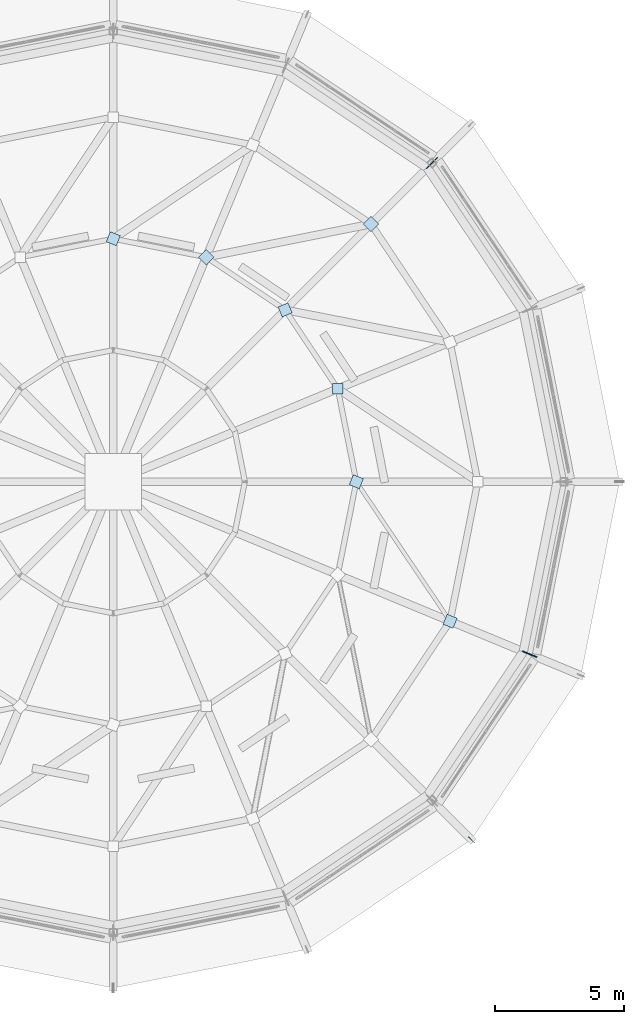
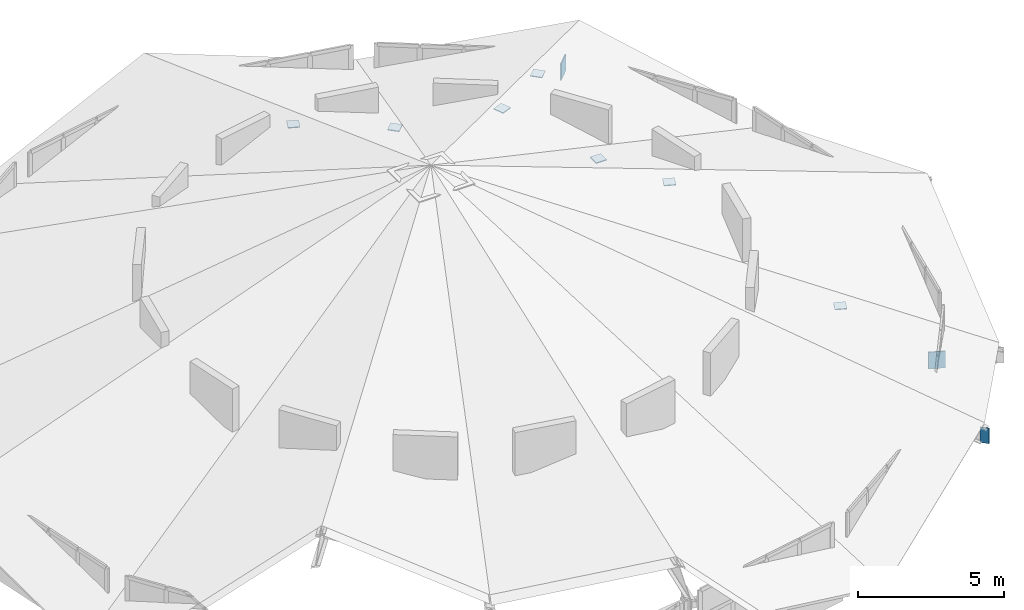
# One storey, part 15 of 18: 10 plates.
"""IFC4 building model written with IfcOpenShell, lengths in metres."""

import ifcopenshell
import ifcopenshell.guid

model = None  # the IFC model being written
_history = None  # IfcOwnerHistory: only IFC2X3 demands one
_inside = {}  # id of a spatial element -> (the spatial element, [elements in it])
_under = {}  # id of a project, library or spatial element -> (it, [spatial elements below it])
_declared = {}  # id of a project -> (the project, [libraries it declares])
_typed = {}  # id of a type object -> (the type object, [elements of that type])
_made_of = {}  # id of a material, layer set ... -> (it, [elements and type objects made of it])


def new_model(schema):
    """Start an empty IFC model of exactly this schema.

    Asked for "IFC4X3", IfcOpenShell would pick the latest addendum, in which some entities
    have other attributes; the version numbers below select the first issue.
    IFC2X3 requires an IfcOwnerHistory on every rooted entity: one is made here for all.
    """
    global model, _history
    if schema == "IFC4X3":
        model = ifcopenshell.file(schema_version=(4, 3, 0, 0))
    else:
        model = ifcopenshell.file(schema=schema)
    _inside.clear()
    _under.clear()
    _declared.clear()
    _typed.clear()
    _made_of.clear()
    _history = None
    if model.schema == "IFC2X3":
        org = make("IfcOrganization", Name="unknown")
        user = make(
            "IfcPersonAndOrganization",
            ThePerson=make("IfcPerson", FamilyName="unknown"),
            TheOrganization=org,
        )
        app = make(
            "IfcApplication",
            ApplicationDeveloper=org,
            Version="unknown",
            ApplicationFullName="unknown",
            ApplicationIdentifier="unknown",
        )
        _history = make(
            "IfcOwnerHistory",
            OwningUser=user,
            OwningApplication=app,
            ChangeAction="ADDED",
            CreationDate=0,
        )
    return model


def make(cls, **values):
    """One entity of the class cls with the attributes given. An attribute that is None is left unset."""
    return model.create_entity(
        cls, **{name: value for name, value in values.items() if value is not None}
    )


def rooted(cls, **values):
    """An entity with a GlobalId (a new one), such as an element, a storey or a relation."""
    return make(cls, GlobalId=ifcopenshell.guid.new(), OwnerHistory=_history, **values)


def si_unit(unit_type, name, prefix=None):
    """IfcSIUnit, for example si_unit("LENGTHUNIT", "METRE", prefix="MILLI")."""
    return make("IfcSIUnit", UnitType=unit_type, Prefix=prefix, Name=name)


def assignment(units):
    """IfcUnitAssignment: the units of a project."""
    return None if units is None else make("IfcUnitAssignment", Units=units)


def point(xyz):
    """IfcCartesianPoint."""
    return None if xyz is None else make("IfcCartesianPoint", Coordinates=xyz)


def direction(xyz):
    """IfcDirection."""
    return None if xyz is None else make("IfcDirection", DirectionRatios=xyz)


def frame(location, z_axis=None, x_axis=None):
    """IfcAxis2Placement3D, a coordinate frame: its origin and axes. An axis left out is left unset."""
    return make(
        "IfcAxis2Placement3D",
        Location=point(location),
        Axis=direction(z_axis),
        RefDirection=direction(x_axis),
    )


def frame_2d(location, x_axis=None):
    """IfcAxis2Placement2D, a coordinate frame in the plane: its origin and x axis."""
    return make(
        "IfcAxis2Placement2D", Location=point(location), RefDirection=direction(x_axis)
    )


def origin():
    """The frame at (0, 0, 0) with its axes left unset."""
    return frame((0.0, 0.0, 0.0))


def origin_2d():
    """The frame at (0, 0) in the plane with its x axis left unset."""
    return frame_2d((0.0, 0.0))


def place(relative_to, where):
    """IfcLocalPlacement: puts the frame where relative to a parent placement (None: the world)."""
    return make(
        "IfcLocalPlacement", PlacementRelTo=relative_to, RelativePlacement=where
    )


def context(
    kind, dimensions, precision=None, world=None, true_north=None, identifier=None
):
    """IfcGeometricRepresentationContext, for example the 3D "Model" context."""
    return make(
        "IfcGeometricRepresentationContext",
        ContextIdentifier=identifier,
        ContextType=kind,
        CoordinateSpaceDimension=dimensions,
        Precision=precision,
        WorldCoordinateSystem=world,
        TrueNorth=true_north,
    )


def subcontext(parent, identifier, kind, view, scale=None):
    """IfcGeometricRepresentationSubContext, for example "Body" below "Model"."""
    return make(
        "IfcGeometricRepresentationSubContext",
        ContextIdentifier=identifier,
        ContextType=kind,
        ParentContext=parent,
        TargetScale=scale,
        TargetView=view,
    )


def project(units=None, contexts=None):
    """IfcProject with its units and contexts."""
    return rooted(
        "IfcProject",
        Name="project",
        RepresentationContexts=contexts,
        UnitsInContext=assignment(units),
    )


def spatial(cls, under=None, at=None, **own):
    """A site, building, storey or space (cls), placed at a placement, below another one or the project."""
    s = rooted(cls, ObjectPlacement=at, **own)
    if under is not None:
        _under.setdefault(under.id(), (under, []))[1].append(s)
    return s


def profile(cls, at=None, kind="AREA", **sizes):
    """A parametric profile (cls). Its sizes go by their IFC names, for example OverallWidth=200.0."""
    return make(cls, ProfileType=kind, Position=at, **sizes)


def rectangle(**sizes):
    """IfcRectangleProfileDef."""
    return profile("IfcRectangleProfileDef", **sizes)


def extrude(swept, where, along, depth):
    """IfcExtrudedAreaSolid: the profile swept, set in the frame where, extruded along a direction by depth."""
    return make(
        "IfcExtrudedAreaSolid",
        SweptArea=swept,
        Position=where,
        ExtrudedDirection=direction(along),
        Depth=depth,
    )


def shape(context_of_items, identifier, shape_type, items):
    """IfcShapeRepresentation: the items that make up one representation, for example the "Body"."""
    return make(
        "IfcShapeRepresentation",
        ContextOfItems=context_of_items,
        RepresentationIdentifier=identifier,
        RepresentationType=shape_type,
        Items=items,
    )


def material(Name=None, Category=None):
    """IfcMaterial."""
    return make("IfcMaterial", Name=Name, Category=Category)


def layer(
    of_material, thickness, ventilated=None, Name=None, Category=None, Priority=None
):
    """IfcMaterialLayer: one layer of a wall or slab, of a material (None: an air gap)."""
    return make(
        "IfcMaterialLayer",
        Material=of_material,
        LayerThickness=thickness,
        IsVentilated=ventilated,
        Name=Name,
        Category=Category,
        Priority=Priority,
    )


def layer_set(layers, Name=None):
    """IfcMaterialLayerSet."""
    return make("IfcMaterialLayerSet", MaterialLayers=layers, LayerSetName=Name)


def made_of(thing, what):
    """Note that an element or type object is made of a material, layer set ...; save() writes the relation."""
    if what is not None:
        _made_of.setdefault(what.id(), (what, []))[1].append(thing)
    return thing


def type_object(cls, material=None, **own):
    """A type object (cls), such as IfcWallType, which elements share."""
    return made_of(rooted(cls, **own), material)


def element(
    cls,
    number,
    at=None,
    inside=None,
    cuts=None,
    type_object=None,
    material=None,
    context=None,
    identifier="Body",
    shape_type=None,
    held_by="IfcProductDefinitionShape",
    body=None,
    shapes=None,
    **own,
):
    """One element of the class cls, such as IfcWall. Its Tag is "e" and its number.

    at: its placement. inside: the storey or other place that contains it. cuts: it is an
    opening in that element (IfcRelVoidsElement). A single representation is given by context,
    identifier, shape_type and body (its items); several are given by shapes. held_by: the class
    of the entity that holds the representations. save() writes the other relations.
    """
    e = rooted(cls, Tag="e%d" % number, ObjectPlacement=at, **own)
    if body is not None:
        shapes = [shape(context, identifier, shape_type, body)]
    if shapes is not None:
        e.Representation = make(held_by, Representations=shapes)
    if inside is not None:
        _inside.setdefault(inside.id(), (inside, []))[1].append(e)
    if cuts is not None:
        rooted(
            "IfcRelVoidsElement", RelatingBuildingElement=cuts, RelatedOpeningElement=e
        )
    if type_object is not None:
        _typed.setdefault(type_object.id(), (type_object, []))[1].append(e)
    return made_of(e, material)


def aggregate(whole, parts):
    """IfcRelAggregates: a whole, such as a stair, and the parts it consists of."""
    return rooted("IfcRelAggregates", RelatingObject=whole, RelatedObjects=parts)


def save(model, path):
    """Write the relations noted so far, then the file.

    IfcRelAggregates (storeys below a building ...), IfcRelContainedInSpatialStructure (elements
    in a storey), IfcRelDefinesByType, IfcRelAssociatesMaterial and IfcRelDeclares: one each for
    every whole, place, type object, material and project.
    """
    for whole, parts in _under.values():
        aggregate(whole, parts)
    for where, things in _inside.values():
        rooted(
            "IfcRelContainedInSpatialStructure",
            RelatedElements=things,
            RelatingStructure=where,
        )
    for kind, things in _typed.values():
        rooted("IfcRelDefinesByType", RelatedObjects=things, RelatingType=kind)
    for what, things in _made_of.values():
        rooted("IfcRelAssociatesMaterial", RelatedObjects=things, RelatingMaterial=what)
    for by, libraries in _declared.values():
        rooted("IfcRelDeclares", RelatingContext=by, RelatedDefinitions=libraries)
    model.write(path)


model = new_model("IFC4")

# Units and contexts
model_context = context("Model", 3, precision=1e-05, world=origin(), true_north=direction((0.0, 1.0)))
body_context = subcontext(model_context, "Body", "Model", "MODEL_VIEW")
ifc_project = project(units=[si_unit("LENGTHUNIT", "METRE"), si_unit("AREAUNIT", "SQUARE_METRE"), si_unit("VOLUMEUNIT", "CUBIC_METRE"), si_unit("PLANEANGLEUNIT", "RADIAN"), si_unit("MASSUNIT", "GRAM", prefix="KILO")], contexts=[model_context])

# Site, building, storey
site_placement = place(None, origin())
site = spatial("IfcSite", under=ifc_project, at=site_placement, CompositionType="ELEMENT")
building_placement = place(site_placement, origin())
building = spatial("IfcBuilding", under=site, at=building_placement, Name="Soyqirgoq Riverine Aquarium", CompositionType="ELEMENT")
storey_placement = place(building_placement, frame((0.0, 0.0, 29.39990234375)))
storey = spatial("IfcBuildingStorey", under=building, at=storey_placement, Name="RF", CompositionType="ELEMENT", Elevation=29.39990234375)

# Plates
ifc_material_1 = material(Name="Structural steel S355", Category="steel")
ifc_layer_1 = layer(ifc_material_1, 0.031982421875)
ifc_layer_set_1 = layer_set([ifc_layer_1], Name="Structural steel S355")
plate_type_1 = type_object("IfcPlateType", Name="NodeGussetPlate_32_S355", PredefinedType="SHEET", material=ifc_layer_set_1)
for number, where, z_axis, x_axis, name in (
    (1, (64.69189453125, 60.600341796875, 4.22802734375), (0.0, 0.0, 1.0), (1.0, 0.0, 0.0), "V1 Radial Truss Brace End Gusset Plate 086"),
    (2, (62.652587890625, 63.652587890625, 5.18798828125), (0.0, 0.0, 1.0), (0.923879532511, 0.382683432365, 0.0), "V1 Radial Truss Brace End Gusset Plate 088"),
    (3, (65.978759765625, 66.978759765625, 3.4599609375), (0.0, 0.0, 1.0), (0.707106781187, 0.707106781187, 0.0), "V1 Radial Truss Brace End Gusset Plate 089"),
    (4, (59.600341796875, 65.69189453125, 4.22802734375), (0.0, 0.0, 1.0), (0.707106781187, 0.707106781187, 0.0), "V1 Radial Truss Brace End Gusset Plate 090"),
    (5, (56.0, 66.407958984375, 5.18798828125), (0.0, 0.0, 1.0), (0.382683432365, 0.923879532511, 0.0), "V1 Radial Truss Brace End Gusset Plate 092"),
    (6, (69.037841796875, 51.599609375, 2.02001953125), (0.0, 0.0, 1.0), (0.923879532511, -0.382683432365, 0.0), "V1 Radial Truss Brace End Gusset Plate 115"),
    (7, (65.407958984375, 57.0, 5.18798828125), (0.0, 0.0, 1.0), (0.923879532511, -0.382683432365, 0.0), "V1 Radial Truss Brace End Gusset Plate 116"),
):
    element("IfcPlate", number, at=place(storey_placement, frame(where, z_axis=z_axis, x_axis=x_axis)), inside=storey, type_object=plate_type_1, Name=name, PredefinedType="SHEET", context=body_context, shape_type="SweptSolid", body=[
        extrude(rectangle(XDim=0.419921875, YDim=0.419921875, at=origin_2d()), origin(), (0.0, 0.0, 1.0), 0.031982421875),
    ])
ifc_material_2 = material(Name="Structural steel S355", Category="steel")
ifc_layer_2 = layer(ifc_material_2, 0.0400390625)
ifc_layer_set_2 = layer_set([ifc_layer_2], Name="Structural steel S355")
plate_type_2 = type_object("IfcPlateType", Name="NodeGussetPlate_40_S355", PredefinedType="SHEET", material=ifc_layer_set_2)
for number, where, z_axis, x_axis, name in (
    (8, (68.339111328125, 69.339111328125, 1.1298828125), (0.0, 0.0, 1.0), (0.707106781187, 0.707106781187, 0.0), "V1 Folded-Plate Ring Node Gusset 058"),
    (9, (72.12158203125, 50.322265625, -0.8701171875), (0.0, 0.0, 1.0), (0.923879532511, -0.382683432365, 0.0), "V1 Folded-Plate Ring Node Gusset 084"),
):
    element("IfcPlate", number, at=place(storey_placement, frame(where, z_axis=z_axis, x_axis=x_axis)), inside=storey, type_object=plate_type_2, Name=name, PredefinedType="SHEET", context=body_context, shape_type="SweptSolid", body=[
        extrude(rectangle(XDim=0.60009765625, YDim=0.0400390625, at=origin_2d()), origin(), (0.0, 0.0, 1.0), 0.699951171875),
    ])
ifc_material_3 = material(Name="Structural steel S355", Category="steel")
ifc_layer_3 = layer(ifc_material_3, 0.02001953125)
ifc_layer_set_3 = layer_set([ifc_layer_3], Name="Structural steel S355")
plate_type_3 = type_object("IfcPlateType", Name="TubeCapPlate_20_S355", PredefinedType="USERDEFINED", material=ifc_layer_set_3)
plate_placement = place(storey_placement, frame((69.859375, 43.140625, 1.155029296875), z_axis=(0.0, 0.0, 1.0), x_axis=(0.707106781187, -0.707106781187, 0.0)))
element("IfcPlate", 10, at=plate_placement, inside=storey, type_object=plate_type_3, Name="V1 Folded-Plate Eave Rib Cap Plate 081", ObjectType="FLANGE_PLATE", PredefinedType="USERDEFINED", context=body_context, shape_type="SweptSolid", body=[
    extrude(rectangle(XDim=0.320068359375, YDim=0.02001953125, at=origin_2d()), origin(), (0.0, 0.0, 1.0), 0.64990234375),
])

save(model, "model.ifc")
